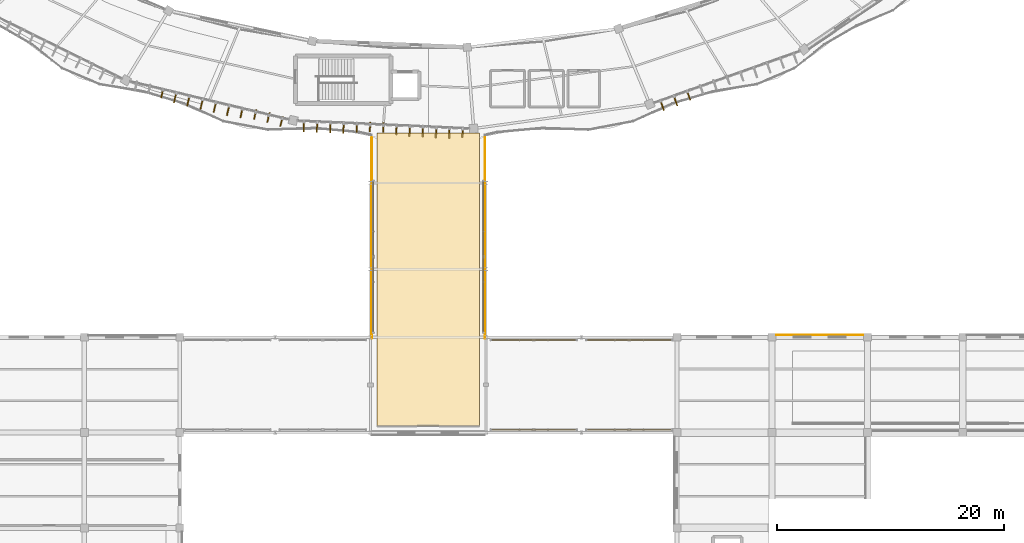
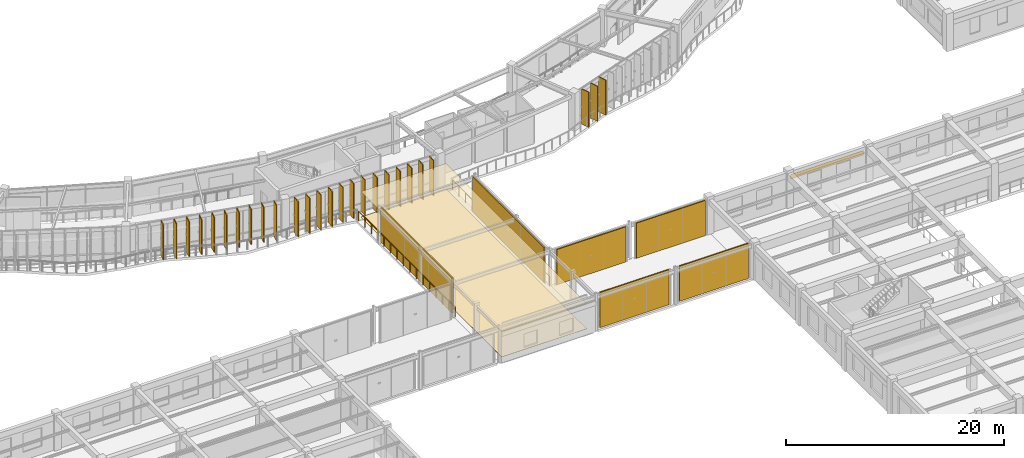
# One storey, part 141 of 152: 32 shading devices, 3 coverings, 2 railings.
"""IFC4 building model written with IfcOpenShell, lengths in metres."""

from ifc_helpers import new_model, si_unit, direction, frame, origin, origin_2d, place, context, subcontext, project, spatial, polyline, rectangle, circle, outline, extrude, material, layer, layer_set, type_object, element, save


model = new_model("IFC4")

# Units and contexts
model_context = context("Model", 3, precision=1e-05, world=origin(), true_north=direction((0.0, 1.0)))
body_context = subcontext(model_context, "Body", "Model", "MODEL_VIEW")
ifc_project = project(units=[si_unit("LENGTHUNIT", "METRE"), si_unit("AREAUNIT", "SQUARE_METRE"), si_unit("VOLUMEUNIT", "CUBIC_METRE"), si_unit("PLANEANGLEUNIT", "RADIAN"), si_unit("MASSUNIT", "GRAM", prefix="KILO"), si_unit("THERMODYNAMICTEMPERATUREUNIT", "KELVIN"), si_unit("POWERUNIT", "WATT")], contexts=[model_context])

# Site, building, storey
site_placement = place(None, origin())
site = spatial("IfcSite", under=ifc_project, at=site_placement, CompositionType="ELEMENT")
building_placement = place(site_placement, origin())
building = spatial("IfcBuilding", under=site, at=building_placement, Name="Darbajah Civic Hall", CompositionType="ELEMENT")
storey_placement = place(building_placement, frame((0.0, 0.0, 5.39990234375)))
storey = spatial("IfcBuildingStorey", under=building, at=storey_placement, Name="L01", CompositionType="ELEMENT", Elevation=5.39990234375)

# Railings
ifc_material_1 = material(Name="Anodised Bronze Aluminium and Laminated Safety Glass", Category="aluminium")
railing_type = type_object("IfcRailingType", Name="Exterior Terrace Balustrade Guard", PredefinedType="BALUSTRADE", material=ifc_material_1)
railing_1_placement = place(storey_placement, frame((84.1201171875, 41.8798828125, 0.0)))
element("IfcRailing", 1, at=railing_1_placement, inside=storey, type_object=railing_type, Name="L01 Pishtaq link walk west guard", PredefinedType="BALUSTRADE", context=body_context, shape_type="SweptSolid", body=[
    extrude(circle(Radius=0.02392578125, at=origin_2d()), frame((0.0, 0.02734375, 1.09619140625), z_axis=(0.0, 1.0, 0.0), x_axis=(-1.0, 0.0, 0.0)), (0.0, 0.0, 1.0), 17.66650390625),
    extrude(circle(Radius=0.02099609375, at=origin_2d()), origin(), (0.0, 0.0, 1.0), 1.068115234375),
    extrude(circle(Radius=0.02099609375, at=origin_2d()), frame((0.0, 1.181396484375, 0.0)), (0.0, 0.0, 1.0), 1.068115234375),
    extrude(circle(Radius=0.02099609375, at=origin_2d()), frame((0.0, 2.36279296875, 0.0)), (0.0, 0.0, 1.0), 1.068115234375),
    extrude(circle(Radius=0.02099609375, at=origin_2d()), frame((0.0, 3.544189453125, 0.0)), (0.0, 0.0, 1.0), 1.068115234375),
    extrude(circle(Radius=0.02099609375, at=origin_2d()), frame((0.0, 4.7255859375, 0.0)), (0.0, 0.0, 1.0), 1.068115234375),
    extrude(circle(Radius=0.02099609375, at=origin_2d()), frame((0.0, 5.906982421875, 0.0)), (0.0, 0.0, 1.0), 1.068115234375),
    extrude(circle(Radius=0.02099609375, at=origin_2d()), frame((0.0, 7.08837890625, 0.0)), (0.0, 0.0, 1.0), 1.068115234375),
    extrude(circle(Radius=0.02099609375, at=origin_2d()), frame((0.0, 8.269775390625, 0.0)), (0.0, 0.0, 1.0), 1.068115234375),
    extrude(circle(Radius=0.02099609375, at=origin_2d()), frame((0.0, 9.451416015625, 0.0)), (0.0, 0.0, 1.0), 1.068115234375),
    extrude(circle(Radius=0.02099609375, at=origin_2d()), frame((0.0, 10.6328125, 0.0)), (0.0, 0.0, 1.0), 1.068115234375),
    extrude(circle(Radius=0.02099609375, at=origin_2d()), frame((0.0, 11.814208984375, 0.0)), (0.0, 0.0, 1.0), 1.068115234375),
    extrude(circle(Radius=0.02099609375, at=origin_2d()), frame((0.0, 12.99560546875, 0.0)), (0.0, 0.0, 1.0), 1.068115234375),
    extrude(circle(Radius=0.02099609375, at=origin_2d()), frame((0.0, 14.177001953125, 0.0)), (0.0, 0.0, 1.0), 1.068115234375),
    extrude(circle(Radius=0.02099609375, at=origin_2d()), frame((0.0, 15.3583984375, 0.0)), (0.0, 0.0, 1.0), 1.068115234375),
    extrude(circle(Radius=0.02099609375, at=origin_2d()), frame((0.0, 16.539794921875, 0.0)), (0.0, 0.0, 1.0), 1.068115234375),
    extrude(circle(Radius=0.02099609375, at=origin_2d()), frame((0.0, 17.72119140625, 0.0)), (0.0, 0.0, 1.0), 1.068115234375),
])
railing_2_placement = place(storey_placement, frame((94.080078125, 41.8798828125, 0.0)))
element("IfcRailing", 2, at=railing_2_placement, inside=storey, type_object=railing_type, Name="L01 Pishtaq link walk east guard", PredefinedType="BALUSTRADE", context=body_context, shape_type="SweptSolid", body=[
    extrude(circle(Radius=0.02392578125, at=origin_2d()), frame((0.0, 0.02734375, 1.09619140625), z_axis=(0.0, 1.0, 0.0), x_axis=(-1.0, 0.0, 0.0)), (0.0, 0.0, 1.0), 17.66650390625),
    extrude(circle(Radius=0.02099609375, at=origin_2d()), origin(), (0.0, 0.0, 1.0), 1.068115234375),
    extrude(circle(Radius=0.02099609375, at=origin_2d()), frame((0.0, 1.181396484375, 0.0)), (0.0, 0.0, 1.0), 1.068115234375),
    extrude(circle(Radius=0.02099609375, at=origin_2d()), frame((0.0, 2.36279296875, 0.0)), (0.0, 0.0, 1.0), 1.068115234375),
    extrude(circle(Radius=0.02099609375, at=origin_2d()), frame((0.0, 3.544189453125, 0.0)), (0.0, 0.0, 1.0), 1.068115234375),
    extrude(circle(Radius=0.02099609375, at=origin_2d()), frame((0.0, 4.7255859375, 0.0)), (0.0, 0.0, 1.0), 1.068115234375),
    extrude(circle(Radius=0.02099609375, at=origin_2d()), frame((0.0, 5.906982421875, 0.0)), (0.0, 0.0, 1.0), 1.068115234375),
    extrude(circle(Radius=0.02099609375, at=origin_2d()), frame((0.0, 7.08837890625, 0.0)), (0.0, 0.0, 1.0), 1.068115234375),
    extrude(circle(Radius=0.02099609375, at=origin_2d()), frame((0.0, 8.269775390625, 0.0)), (0.0, 0.0, 1.0), 1.068115234375),
    extrude(circle(Radius=0.02099609375, at=origin_2d()), frame((0.0, 9.451416015625, 0.0)), (0.0, 0.0, 1.0), 1.068115234375),
    extrude(circle(Radius=0.02099609375, at=origin_2d()), frame((0.0, 10.6328125, 0.0)), (0.0, 0.0, 1.0), 1.068115234375),
    extrude(circle(Radius=0.02099609375, at=origin_2d()), frame((0.0, 11.814208984375, 0.0)), (0.0, 0.0, 1.0), 1.068115234375),
    extrude(circle(Radius=0.02099609375, at=origin_2d()), frame((0.0, 12.99560546875, 0.0)), (0.0, 0.0, 1.0), 1.068115234375),
    extrude(circle(Radius=0.02099609375, at=origin_2d()), frame((0.0, 14.177001953125, 0.0)), (0.0, 0.0, 1.0), 1.068115234375),
    extrude(circle(Radius=0.02099609375, at=origin_2d()), frame((0.0, 15.3583984375, 0.0)), (0.0, 0.0, 1.0), 1.068115234375),
    extrude(circle(Radius=0.02099609375, at=origin_2d()), frame((0.0, 16.539794921875, 0.0)), (0.0, 0.0, 1.0), 1.068115234375),
    extrude(circle(Radius=0.02099609375, at=origin_2d()), frame((0.0, 17.72119140625, 0.0)), (0.0, 0.0, 1.0), 1.068115234375),
])

# Coverings
ifc_material_2 = material(Name="Honed Qatari Limestone Terrazzo", Category="masonry")
ifc_layer_1 = layer(ifc_material_2, 0.030029296875, Name="Honed Qatari Limestone Terrazzo")
ifc_layer_set_1 = layer_set([ifc_layer_1], Name="Honed Qatari Limestone Terrazzo")
covering_type_1 = type_object("IfcCoveringType", Name="Honed Qatari Limestone Terrazzo Flooring", PredefinedType="FLOORING", material=ifc_layer_set_1)
covering_1_placement = place(storey_placement, origin())
element("IfcCovering", 3, at=covering_1_placement, inside=storey, type_object=covering_type_1, Name="L01 stone terrazzo flooring L01-V6-01", PredefinedType="FLOORING", context=body_context, shape_type="SweptSolid", body=[
    extrude(outline(polyline([(84.60009765625, 34.199951171875), (93.60009765625, 34.199951171875), (93.60009765625, 60.0), (84.60009765625, 60.0), (84.60009765625, 34.199951171875)])), origin(), (0.0, 0.0, 1.0), 0.030029296875),
])
ifc_material_3 = material(Name="Qatari Desert Limestone Ashlar", Category="masonry")
ifc_layer_2 = layer(ifc_material_3, 0.044921875, Name="Qatari Desert Limestone Ashlar")
ifc_layer_set_2 = layer_set([ifc_layer_2], Name="Qatari Desert Limestone Ashlar")
covering_type_2 = type_object("IfcCoveringType", Name="Limestone Facade Cladding", PredefinedType="CLADDING", material=ifc_layer_set_2)
covering_2_placement = place(storey_placement, frame((0.0, 0.0, 2.75)))
element("IfcCovering", 4, at=covering_2_placement, inside=storey, type_object=covering_type_2, Name="L01 stone frieze cladding EW-V3-L01-S4-B6", PredefinedType="CLADDING", context=body_context, shape_type="SweptSolid", body=[
    extrude(outline(polyline([(127.447998046875, 42.18994140625), (119.751953125, 42.18994140625), (119.751953125, 42.235107421875), (127.447998046875, 42.235107421875), (127.447998046875, 42.18994140625)])), origin(), (0.0, 0.0, 1.0), 0.5),
])
ifc_material_4 = material(Name="Perforated Acoustic Gypsum Board")
ifc_layer_3 = layer(ifc_material_4, 0.02490234375, Name="Perforated Acoustic Gypsum Board")
ifc_layer_set_3 = layer_set([ifc_layer_3], Name="Perforated Acoustic Gypsum Board")
covering_type_3 = type_object("IfcCoveringType", Name="Perforated Acoustic Gypsum Ceiling", PredefinedType="CEILING", material=ifc_layer_set_3)
covering_3_placement = place(storey_placement, frame((0.0, 0.0, 2.85009765625)))
element("IfcCovering", 5, at=covering_3_placement, inside=storey, type_object=covering_type_3, Name="L01 acoustic suspended ceiling L01-V6-01", PredefinedType="CEILING", context=body_context, shape_type="SweptSolid", body=[
    extrude(outline(polyline([(84.60009765625, 34.199951171875), (93.60009765625, 34.199951171875), (93.60009765625, 60.0), (84.60009765625, 60.0), (84.60009765625, 34.199951171875)])), origin(), (0.0, 0.0, 1.0), 0.02490234375),
])

# Shading devices
ifc_material_5 = material(Name="Pierced Qatari Desert Limestone Jali", Category="masonry")
ifc_layer_4 = layer(ifc_material_5, 0.1201171875, Name="Pierced Qatari Desert Limestone Jali")
ifc_layer_set_4 = layer_set([ifc_layer_4], Name="Pierced Qatari Desert Limestone Jali")
shading_device_type_1 = type_object("IfcShadingDeviceType", Name="Pierced Qatari Limestone Jali Screen", PredefinedType="JALOUSIE", material=ifc_layer_set_4)
for number, where, z_axis, x_axis, name in (
    (6, (98.39990234375, 33.85009765625, 0.0), (0.0, 0.0, 1.0), (1.0, 0.0, 0.0), "L01 pierced limestone jali screen SE-S"),
    (7, (106.800048828125, 33.85009765625, 0.0), (0.0, 0.0, 1.0), (1.0, 0.0, 0.0), "L01 pierced limestone jali screen SE-S2"),
    (8, (98.39990234375, 41.75, 0.0), (0.0, 0.0, 1.0), (1.0, 0.0, 0.0), "L01 pierced limestone jali screen SE-N"),
    (9, (106.800048828125, 41.75, 0.0), (0.0, 0.0, 1.0), (1.0, 0.0, 0.0), "L01 pierced limestone jali screen SE-N2"),
):
    element("IfcShadingDevice", number, at=place(storey_placement, frame(where, z_axis=z_axis, x_axis=x_axis)), inside=storey, type_object=shading_device_type_1, Name=name, PredefinedType="JALOUSIE", context=body_context, shape_type="SweptSolid", body=[
        extrude(rectangle(XDim=7.300048828125, YDim=0.1201171875, at=origin_2d()), origin(), (0.0, 0.0, 1.0), 3.929931640625),
    ])
for number, where, z_axis, x_axis, name in (
    (10, (84.25, 49.10009765625, 0.0), (0.0, 0.0, 1.0), (0.0, 1.0, 0.0), "L01 pierced limestone jali screen PW"),
    (11, (93.949951171875, 49.10009765625, 0.0), (0.0, 0.0, 1.0), (0.0, 1.0, 0.0), "L01 pierced limestone jali screen PE"),
):
    element("IfcShadingDevice", number, at=place(storey_placement, frame(where, z_axis=z_axis, x_axis=x_axis)), inside=storey, type_object=shading_device_type_1, Name=name, PredefinedType="JALOUSIE", context=body_context, shape_type="SweptSolid", body=[
        extrude(rectangle(XDim=13.10009765625, YDim=0.1201171875, at=origin_2d()), origin(), (0.0, 0.0, 1.0), 3.929931640625),
    ])
ifc_material_6 = material(Name="Bronze Anodised Aluminium and Teak Composite", Category="aluminium")
shading_device_type_2 = type_object("IfcShadingDeviceType", Name="Vertical Bronze Timber Shading Fin", PredefinedType="USERDEFINED", material=ifc_material_6)
for number, where, z_axis, x_axis, name in (
    (12, (65.653076171875, 63.50732421875, 0.000244140625), (0.0, 0.0, 1.0), (-0.232936200179, -0.972492018808, 0.0), "L01 vertical shading fin VF-13-3"),
    (13, (66.78564453125, 63.082275390625, 0.000244140625), (0.0, 0.0, 1.0), (-0.232936200179, -0.972492018808, 0.0), "L01 vertical shading fin VF-13-4"),
    (14, (67.952392578125, 62.7998046875, 0.000244140625), (0.0, 0.0, 1.0), (-0.232936200179, -0.972492018808, 0.0), "L01 vertical shading fin VF-13-5"),
    (15, (69.119873046875, 62.52001953125, 0.000244140625), (0.0, 0.0, 1.0), (-0.232936200179, -0.972492018808, 0.0), "L01 vertical shading fin VF-13-6"),
    (16, (70.287109375, 62.240478515625, 0.000244140625), (0.0, 0.0, 1.0), (-0.232936200179, -0.972492018808, 0.0), "L01 vertical shading fin VF-13-7"),
    (17, (71.45458984375, 61.960693359375, 0.000244140625), (0.0, 0.0, 1.0), (-0.232936200179, -0.972492018808, 0.0), "L01 vertical shading fin VF-13-8"),
    (18, (72.645263671875, 61.7783203125, 0.000244140625), (0.0, 0.0, 1.0), (-0.232936200179, -0.972492018808, 0.0), "L01 vertical shading fin VF-13-9"),
    (19, (73.845458984375, 61.635986328125, 0.000244140625), (0.0, 0.0, 1.0), (-0.232936200179, -0.972492018808, 0.0), "L01 vertical shading fin VF-13-10"),
    (20, (75.014892578125, 61.36474609375, 0.000244140625), (0.0, 0.0, 1.0), (-0.232936200179, -0.972492018808, 0.0), "L01 vertical shading fin VF-13-11"),
    (21, (76.164794921875, 61.011962890625, 0.000244140625), (0.0, 0.0, 1.0), (-0.232936200179, -0.972492018808, 0.0), "L01 vertical shading fin VF-13-12"),
    (22, (78.13037109375, 60.556884765625, 0.000244140625), (0.0, 0.0, 1.0), (-0.045537340693, -0.998962637241, 0.0), "L01 vertical shading fin VF-14-1"),
    (23, (79.2958984375, 60.50390625, 0.000244140625), (0.0, 0.0, 1.0), (-0.045537340693, -0.998962637241, 0.0), "L01 vertical shading fin VF-14-2"),
    (24, (80.461669921875, 60.45068359375, 0.000244140625), (0.0, 0.0, 1.0), (-0.045537340693, -0.998962637241, 0.0), "L01 vertical shading fin VF-14-3"),
    (25, (81.62744140625, 60.397705078125, 0.000244140625), (0.0, 0.0, 1.0), (-0.045537340693, -0.998962637241, 0.0), "L01 vertical shading fin VF-14-4"),
    (26, (82.799072265625, 60.476806640625, 0.000244140625), (0.0, 0.0, 1.0), (-0.045537340693, -0.998962637241, 0.0), "L01 vertical shading fin VF-14-5"),
    (27, (83.97021484375, 60.54150390625, 0.000244140625), (0.0, 0.0, 1.0), (-0.045537340693, -0.998962637241, 0.0), "L01 vertical shading fin VF-14-6"),
    (28, (85.1357421875, 60.48828125, 0.000244140625), (0.0, 0.0, 1.0), (-0.045537340693, -0.998962637241, 0.0), "L01 vertical shading fin VF-14-7"),
    (29, (86.295166015625, 60.29443359375, 0.000244140625), (0.0, 0.0, 1.0), (-0.045537340693, -0.998962637241, 0.0), "L01 vertical shading fin VF-14-8"),
    (30, (87.455810546875, 60.13232421875, 0.000244140625), (0.0, 0.0, 1.0), (-0.045537340693, -0.998962637241, 0.0), "L01 vertical shading fin VF-14-9"),
    (31, (88.62158203125, 60.079345703125, 0.000244140625), (0.0, 0.0, 1.0), (-0.045537340693, -0.998962637241, 0.0), "L01 vertical shading fin VF-14-10"),
    (32, (89.787109375, 60.026123046875, 0.000244140625), (0.0, 0.0, 1.0), (-0.045537340693, -0.998962637241, 0.0), "L01 vertical shading fin VF-14-11"),
    (33, (90.952880859375, 59.97314453125, 0.000244140625), (0.0, 0.0, 1.0), (-0.045537340693, -0.998962637241, 0.0), "L01 vertical shading fin VF-14-12"),
    (34, (92.125, 60.06494140625, 0.000244140625), (0.0, 0.0, 1.0), (-0.045537340693, -0.998962637241, 0.0), "L01 vertical shading fin VF-14-13"),
    (35, (109.73046875, 62.393798828125, 0.000244140625), (0.0, 0.0, 1.0), (0.334135882844, -0.94252491309, 0.0), "L01 vertical shading fin VF-16-1"),
    (36, (110.902587890625, 62.809326171875, 0.000244140625), (0.0, 0.0, 1.0), (0.334135882844, -0.94252491309, 0.0), "L01 vertical shading fin VF-16-2"),
    (37, (112.04736328125, 63.302490234375, 0.000244140625), (0.0, 0.0, 1.0), (0.334135882844, -0.94252491309, 0.0), "L01 vertical shading fin VF-16-3"),
):
    element("IfcShadingDevice", number, at=place(storey_placement, frame(where, z_axis=z_axis, x_axis=x_axis)), inside=storey, type_object=shading_device_type_2, Name=name, ObjectType="VERTICAL FIN", PredefinedType="USERDEFINED", context=body_context, shape_type="SweptSolid", body=[
        extrude(rectangle(XDim=0.85009765625, YDim=0.090087890625, at=origin_2d()), origin(), (0.0, 0.0, 1.0), 3.919921875),
    ])

save(model, "model.ifc")
